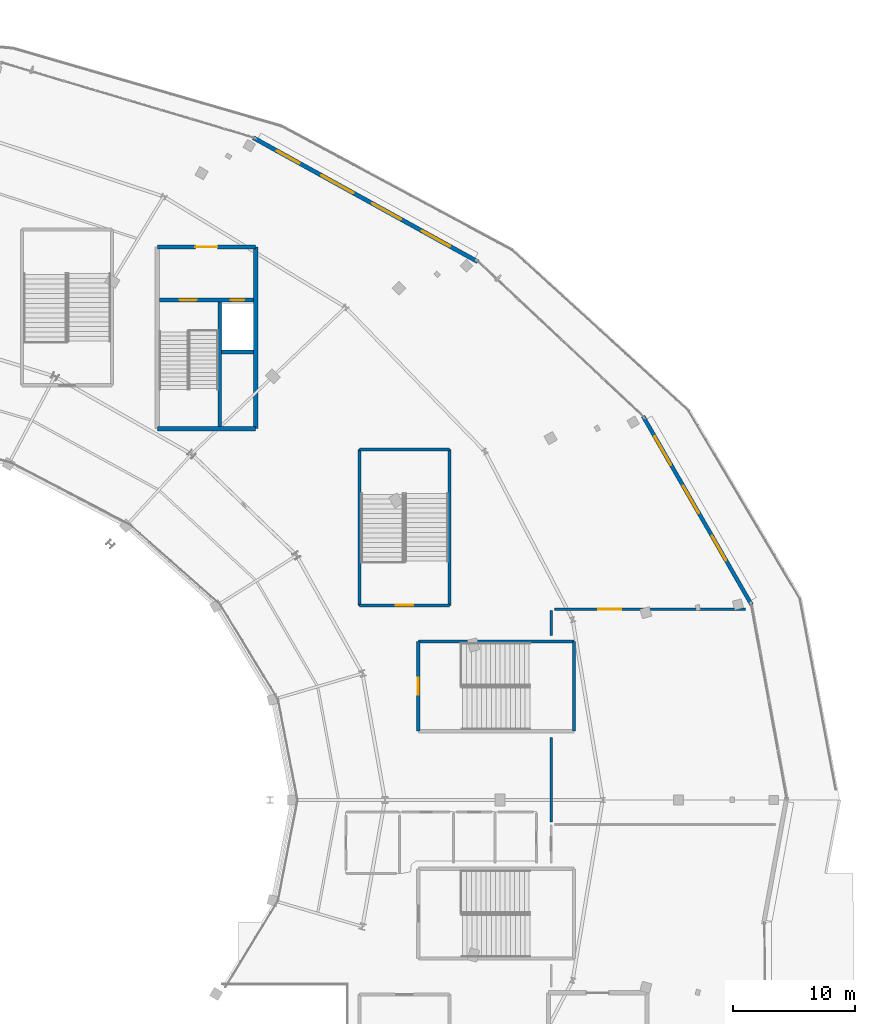
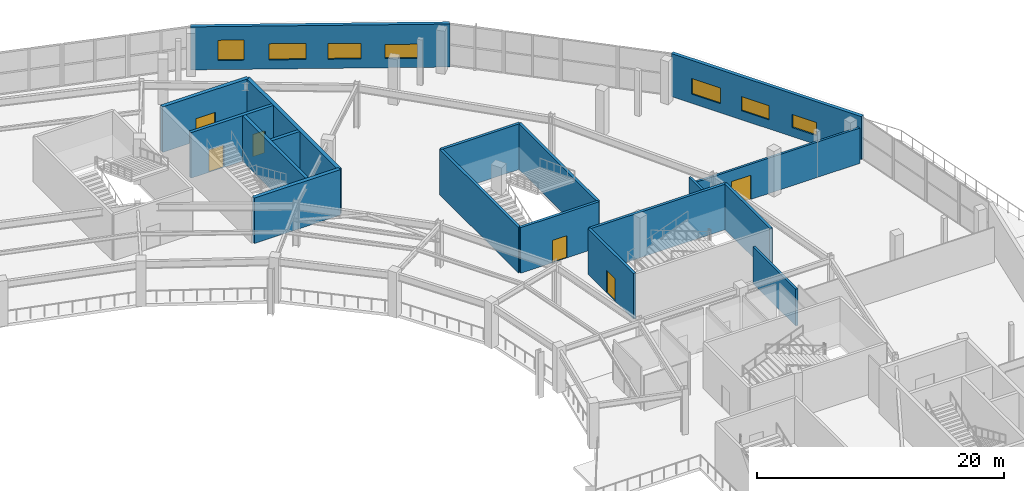
# One storey, part 82 of 107: 18 walls, 7 windows, 6 doors, 13 openings.
"""IFC4 building model written with IfcOpenShell, lengths in metres."""

from ifc_helpers import new_model, si_unit, direction, frame, frame_2d, origin, place, context, subcontext, project, spatial, rectangle, extrude, material, layer, layer_set, type_object, element, fill, save


model = new_model("IFC4")

# Units and contexts
model_context = context("Model", 3, precision=1e-05, world=origin(), true_north=direction((0.0, 1.0)))
body_context = subcontext(model_context, "Body", "Model", "MODEL_VIEW")
ifc_project = project(units=[si_unit("LENGTHUNIT", "METRE"), si_unit("AREAUNIT", "SQUARE_METRE"), si_unit("VOLUMEUNIT", "CUBIC_METRE"), si_unit("PLANEANGLEUNIT", "RADIAN"), si_unit("MASSUNIT", "GRAM", prefix="KILO")], contexts=[model_context])

# Site, building, storey
site_placement = place(None, origin())
site = spatial("IfcSite", under=ifc_project, at=site_placement, CompositionType="ELEMENT")
building_placement = place(site_placement, origin())
building = spatial("IfcBuilding", under=site, at=building_placement, Name="Kalgoora Escarpment Arena", CompositionType="ELEMENT")
storey_placement = place(building_placement, frame((0.0, 0.0, 5.39990234375)))
storey = spatial("IfcBuildingStorey", under=building, at=storey_placement, Name="L01", CompositionType="ELEMENT", Elevation=5.39990234375)

# Wall
ifc_material_1 = material(Name="Concrete N50 (fc' 50 MPa)", Category="concrete")
ifc_layer_1 = layer(ifc_material_1, 0.35009765625)
ifc_layer_set_1 = layer_set([ifc_layer_1], Name="WAL-CORE-350")
wall_type_1 = type_object("IfcWallType", Name="WAL-CORE-350", PredefinedType="SHEAR", material=ifc_layer_set_1)
wall_1_placement = place(storey_placement, frame((127.77490234375, 94.375, 0.0), z_axis=(0.0, 0.0, 1.0), x_axis=(1.0, 0.0, 0.0)))
element("IfcWall", 1, at=wall_1_placement, inside=storey, type_object=wall_type_1, Name="Core C4 L01 south shear wall", PredefinedType="SHEAR", context=body_context, shape_type="SweptSolid", body=[
    extrude(rectangle(XDim=8.050048828125, YDim=0.35009765625, at=frame_2d((4.02490234375, 0.0))), origin(), (0.0, 0.0, 1.0), 4.5),
])

# Wall, opening, door
wall_2_placement = place(storey_placement, frame((127.77490234375, 109.22509765625, 0.0), z_axis=(0.0, 0.0, 1.0), x_axis=(1.0, 0.0, 0.0)))
wall_2 = element("IfcWall", 2, at=wall_2_placement, inside=storey, type_object=wall_type_1, Name="Core C4 L01 north lobby wall", PredefinedType="SHEAR", context=body_context, shape_type="SweptSolid", body=[
    extrude(rectangle(XDim=8.050048828125, YDim=0.35009765625, at=frame_2d((4.02490234375, 0.0))), origin(), (0.0, 0.0, 1.0), 4.5),
])
opening_1_placement = place(wall_2_placement, frame((3.125, 0.0, 0.0)))
opening_1 = element("IfcOpeningElement", 3, at=opening_1_placement, cuts=wall_2, Name="Opening FD-C4L", PredefinedType="OPENING", context=body_context, shape_type="SweptSolid", body=[
    extrude(rectangle(XDim=1.800048828125, YDim=2.25, at=frame_2d((0.89990234375, 1.125))), frame((0.0, 0.18505859375, 0.0), z_axis=(0.0, -1.0, 0.0), x_axis=(1.0, 0.0, 0.0)), (0.0, 0.0, 1.0), 0.3701171875),
])
ifc_material_2 = material(Name="Double fire-rated smoke-seal lobby door")
door_type_1 = type_object("IfcDoorType", Name="DR-LOBBY-1800", OperationType="NOTDEFINED", PredefinedType="DOOR", material=ifc_material_2)
door_1_placement = place(opening_1_placement, origin())
door_1 = element("IfcDoor", 4, at=door_1_placement, inside=storey, type_object=door_type_1, Name="Core C4 L01 smoke-lobby fire door", OperationType="DOUBLE_DOOR_SINGLE_SWING", OverallHeight=2.25, OverallWidth=1.800048828125, PredefinedType="DOOR", context=body_context, shape_type="SweptSolid", body=[
    extrude(rectangle(XDim=1.800048828125, YDim=2.25, at=frame_2d((0.89990234375, 1.125))), frame((0.0, 0.02490234375, 0.0), z_axis=(0.0, -1.0, 0.0), x_axis=(1.0, 0.0, 0.0)), (0.0, 0.0, 1.0), 0.050048828125),
])
fill(opening_1, door_1)

# Wall
wall_3_placement = place(storey_placement, frame((135.824951171875, 94.375, 0.0), z_axis=(0.0, 0.0, 1.0), x_axis=(0.0, 1.0, 0.0)))
element("IfcWall", 5, at=wall_3_placement, inside=storey, type_object=wall_type_1, Name="Core C4 L01 east shear wall", PredefinedType="SHEAR", context=body_context, shape_type="SweptSolid", body=[
    extrude(rectangle(XDim=14.85009765625, YDim=0.35009765625, at=frame_2d((7.425048828125, 0.0))), origin(), (0.0, 0.0, 1.0), 4.5),
])

# Wall, openings, windows
ifc_material_3 = material(Name="Insulated limestone cladding precast wall 40 MPa", Category="masonry")
ifc_layer_2 = layer(ifc_material_3, 0.31494140625)
ifc_layer_set_2 = layer_set([ifc_layer_2], Name="WAL-EXT-315")
wall_type_2 = type_object("IfcWallType", Name="WAL-EXT-315", PredefinedType="SOLIDWALL", material=ifc_layer_set_2)
wall_4_placement = place(storey_placement, frame((167.5166015625, 95.3798828125, 0.0), z_axis=(0.0, 0.0, 1.0), x_axis=(0.4988947801, -0.866662563163, 0.0)))
wall_4 = element("IfcWall", 6, at=wall_4_placement, inside=storey, type_object=wall_type_2, Name="L01 limestone-faced external wall 038", PredefinedType="SOLIDWALL", context=body_context, shape_type="SweptSolid", body=[
    extrude(rectangle(XDim=17.786376953125, YDim=0.31494140625, at=frame_2d((8.89306640625, 0.0))), origin(), (0.0, 0.0, 1.0), 4.25),
])
opening_2_placement = place(wall_4_placement, frame((1.89990234375, 0.0, 0.89990234375)))
opening_2 = element("IfcOpeningElement", 7, at=opening_2_placement, cuts=wall_4, Name="Opening W-12", PredefinedType="OPENING", context=body_context, shape_type="SweptSolid", body=[
    extrude(rectangle(XDim=2.699951171875, YDim=1.550048828125, at=frame_2d((1.35009765625, 0.77490234375))), frame((0.0, 0.16748046875, 0.0), z_axis=(0.0, -1.0, 0.0), x_axis=(1.0, 0.0, 0.0)), (0.0, 0.0, 1.0), 0.3349609375),
])
opening_3_placement = place(wall_4_placement, frame((6.550048828125, 0.0, 0.89990234375)))
opening_3 = element("IfcOpeningElement", 8, at=opening_3_placement, cuts=wall_4, Name="Opening W-14", PredefinedType="OPENING", context=body_context, shape_type="SweptSolid", body=[
    extrude(rectangle(XDim=2.60009765625, YDim=1.39990234375, at=frame_2d((1.300048828125, 0.699951171875))), frame((0.0, 0.16748046875, 0.0), z_axis=(0.0, -1.0, 0.0), x_axis=(1.0, 0.0, 0.0)), (0.0, 0.0, 1.0), 0.3349609375),
])
opening_4_placement = place(wall_4_placement, frame((11.300048828125, 0.0, 0.89990234375)))
opening_4 = element("IfcOpeningElement", 9, at=opening_4_placement, cuts=wall_4, Name="Opening W-16", PredefinedType="OPENING", context=body_context, shape_type="SweptSolid", body=[
    extrude(rectangle(XDim=2.300048828125, YDim=1.300048828125, at=frame_2d((1.14990234375, 0.64990234375))), frame((0.0, 0.16748046875, 0.0), z_axis=(0.0, -1.0, 0.0), x_axis=(1.0, 0.0, 0.0)), (0.0, 0.0, 1.0), 0.3349609375),
])
ifc_material_4 = material(Name="Low-E solar-control double glazing in champagne frame", Category="glass")
window_type_1 = type_object("IfcWindowType", Name="WIN-BAND-2700x1550", PartitioningType="SINGLE_PANEL", PredefinedType="WINDOW", material=ifc_material_4)
window_1_placement = place(opening_2_placement, origin())
window_1 = element("IfcWindow", 10, at=window_1_placement, inside=storey, type_object=window_type_1, Name="L01 scheduled facade window 032", OverallHeight=1.550048828125, OverallWidth=2.699951171875, PartitioningType="SINGLE_PANEL", PredefinedType="WINDOW", context=body_context, shape_type="SweptSolid", body=[
    extrude(rectangle(XDim=2.699951171875, YDim=1.550048828125, at=frame_2d((1.35009765625, 0.77490234375))), frame((0.0, 0.030029296875, 0.0), z_axis=(0.0, -1.0, 0.0), x_axis=(1.0, 0.0, 0.0)), (0.0, 0.0, 1.0), 0.06005859375),
])
fill(opening_2, window_1)
ifc_material_5 = material(Name="Low-E solar-control double glazing in champagne frame", Category="glass")
window_type_2 = type_object("IfcWindowType", Name="WIN-CLER-2300x1300", PartitioningType="SINGLE_PANEL", PredefinedType="WINDOW", material=ifc_material_5)
window_2_placement = place(opening_4_placement, origin())
window_2 = element("IfcWindow", 11, at=window_2_placement, inside=storey, type_object=window_type_2, Name="L01 scheduled facade window 034", OverallHeight=1.300048828125, OverallWidth=2.300048828125, PartitioningType="SINGLE_PANEL", PredefinedType="WINDOW", context=body_context, shape_type="SweptSolid", body=[
    extrude(rectangle(XDim=2.300048828125, YDim=1.300048828125, at=frame_2d((1.14990234375, 0.64990234375))), frame((0.0, 0.030029296875, 0.0), z_axis=(0.0, -1.0, 0.0), x_axis=(1.0, 0.0, 0.0)), (0.0, 0.0, 1.0), 0.06005859375),
])
fill(opening_4, window_2)
ifc_material_6 = material(Name="Low-E solar-control double glazing in champagne frame", Category="glass")
window_type_3 = type_object("IfcWindowType", Name="WIN-CLER-2600x1400", PartitioningType="SINGLE_PANEL", PredefinedType="WINDOW", material=ifc_material_6)
window_3_placement = place(opening_3_placement, origin())
window_3 = element("IfcWindow", 12, at=window_3_placement, inside=storey, type_object=window_type_3, Name="L01 scheduled facade window 033", OverallHeight=1.39990234375, OverallWidth=2.60009765625, PartitioningType="SINGLE_PANEL", PredefinedType="WINDOW", context=body_context, shape_type="SweptSolid", body=[
    extrude(rectangle(XDim=2.60009765625, YDim=1.39990234375, at=frame_2d((1.300048828125, 0.699951171875))), frame((0.0, 0.030029296875, 0.0), z_axis=(0.0, -1.0, 0.0), x_axis=(1.0, 0.0, 0.0)), (0.0, 0.0, 1.0), 0.06005859375),
])
fill(opening_3, window_3)

ifc_material_7 = material(Name="Fluted Art Deco precast concrete 40 MPa", Category="concrete")
ifc_layer_3 = layer(ifc_material_7, 0.340087890625)
ifc_layer_set_3 = layer_set([ifc_layer_3], Name="WAL-EXT-340")
wall_type_3 = type_object("IfcWallType", Name="WAL-EXT-340", PredefinedType="SOLIDWALL", material=ifc_layer_set_3)
wall_5_placement = place(storey_placement, frame((135.645263671875, 118.15966796875, 0.0), z_axis=(0.0, 0.0, 1.0), x_axis=(0.875430127379, -0.483344692821, 0.0)))
wall_5 = element("IfcWall", 13, at=wall_5_placement, inside=storey, type_object=wall_type_3, Name="L01 limestone-faced external wall 037", PredefinedType="SOLIDWALL", context=body_context, shape_type="SweptSolid", body=[
    extrude(rectangle(XDim=20.9765625, YDim=0.340087890625, at=frame_2d((10.48828125, 0.0))), origin(), (0.0, 0.0, 1.0), 4.25),
])
opening_5_placement = place(wall_5_placement, frame((2.199951171875, 0.0, 0.89990234375)))
opening_5 = element("IfcOpeningElement", 14, at=opening_5_placement, cuts=wall_5, Name="Opening W-08", PredefinedType="OPENING", context=body_context, shape_type="SweptSolid", body=[
    extrude(rectangle(XDim=2.10009765625, YDim=2.0, at=frame_2d((1.050048828125, 1.0))), frame((0.0, 0.179931640625, 0.0), z_axis=(0.0, -1.0, 0.0), x_axis=(1.0, 0.0, 0.0)), (0.0, 0.0, 1.0), 0.360107421875),
])
opening_6_placement = place(wall_5_placement, frame((6.35009765625, 0.0, 0.89990234375)))
opening_6 = element("IfcOpeningElement", 15, at=opening_6_placement, cuts=wall_5, Name="Opening W-10", PredefinedType="OPENING", context=body_context, shape_type="SweptSolid", body=[
    extrude(rectangle(XDim=3.0, YDim=1.60009765625, at=frame_2d((1.5, 0.800048828125))), frame((0.0, 0.179931640625, 0.0), z_axis=(0.0, -1.0, 0.0), x_axis=(1.0, 0.0, 0.0)), (0.0, 0.0, 1.0), 0.360107421875),
])
opening_7_placement = place(wall_5_placement, frame((11.10009765625, 0.0, 0.89990234375)))
opening_7 = element("IfcOpeningElement", 16, at=opening_7_placement, cuts=wall_5, Name="Opening W-12", PredefinedType="OPENING", context=body_context, shape_type="SweptSolid", body=[
    extrude(rectangle(XDim=2.699951171875, YDim=1.550048828125, at=frame_2d((1.35009765625, 0.77490234375))), frame((0.0, 0.179931640625, 0.0), z_axis=(0.0, -1.0, 0.0), x_axis=(1.0, 0.0, 0.0)), (0.0, 0.0, 1.0), 0.360107421875),
])
opening_8_placement = place(wall_5_placement, frame((15.75, 0.0, 0.89990234375)))
opening_8 = element("IfcOpeningElement", 17, at=opening_8_placement, cuts=wall_5, Name="Opening W-14", PredefinedType="OPENING", context=body_context, shape_type="SweptSolid", body=[
    extrude(rectangle(XDim=2.60009765625, YDim=1.39990234375, at=frame_2d((1.300048828125, 0.699951171875))), frame((0.0, 0.179931640625, 0.0), z_axis=(0.0, -1.0, 0.0), x_axis=(1.0, 0.0, 0.0)), (0.0, 0.0, 1.0), 0.360107421875),
])
window_4_placement = place(opening_7_placement, origin())
window_4 = element("IfcWindow", 18, at=window_4_placement, inside=storey, type_object=window_type_1, Name="L01 scheduled facade window 030", OverallHeight=1.550048828125, OverallWidth=2.699951171875, PartitioningType="SINGLE_PANEL", PredefinedType="WINDOW", context=body_context, shape_type="SweptSolid", body=[
    extrude(rectangle(XDim=2.699951171875, YDim=1.550048828125, at=frame_2d((1.35009765625, 0.77490234375))), frame((0.0, 0.030029296875, 0.0), z_axis=(0.0, -1.0, 0.0), x_axis=(1.0, 0.0, 0.0)), (0.0, 0.0, 1.0), 0.06005859375),
])
fill(opening_7, window_4)
ifc_material_8 = material(Name="Low-E solar-control double glazing in champagne frame", Category="glass")
window_type_4 = type_object("IfcWindowType", Name="WIN-BAND-3000x1600", PartitioningType="SINGLE_PANEL", PredefinedType="WINDOW", material=ifc_material_8)
window_5_placement = place(opening_6_placement, origin())
window_5 = element("IfcWindow", 19, at=window_5_placement, inside=storey, type_object=window_type_4, Name="L01 scheduled facade window 029", OverallHeight=1.60009765625, OverallWidth=3.0, PartitioningType="SINGLE_PANEL", PredefinedType="WINDOW", context=body_context, shape_type="SweptSolid", body=[
    extrude(rectangle(XDim=3.0, YDim=1.60009765625, at=frame_2d((1.5, 0.800048828125))), frame((0.0, 0.030029296875, 0.0), z_axis=(0.0, -1.0, 0.0), x_axis=(1.0, 0.0, 0.0)), (0.0, 0.0, 1.0), 0.06005859375),
])
fill(opening_6, window_5)
window_6_placement = place(opening_8_placement, origin())
window_6 = element("IfcWindow", 20, at=window_6_placement, inside=storey, type_object=window_type_3, Name="L01 scheduled facade window 031", OverallHeight=1.39990234375, OverallWidth=2.60009765625, PartitioningType="SINGLE_PANEL", PredefinedType="WINDOW", context=body_context, shape_type="SweptSolid", body=[
    extrude(rectangle(XDim=2.60009765625, YDim=1.39990234375, at=frame_2d((1.300048828125, 0.699951171875))), frame((0.0, 0.030029296875, 0.0), z_axis=(0.0, -1.0, 0.0), x_axis=(1.0, 0.0, 0.0)), (0.0, 0.0, 1.0), 0.06005859375),
])
fill(opening_8, window_6)
ifc_material_9 = material(Name="Low-E solar-control double glazing in champagne frame", Category="glass")
window_type_5 = type_object("IfcWindowType", Name="WIN-DECO-2100x2000", PartitioningType="SINGLE_PANEL", PredefinedType="WINDOW", material=ifc_material_9)
window_7_placement = place(opening_5_placement, origin())
window_7 = element("IfcWindow", 21, at=window_7_placement, inside=storey, type_object=window_type_5, Name="L01 scheduled facade window 028", OverallHeight=2.0, OverallWidth=2.10009765625, PartitioningType="SINGLE_PANEL", PredefinedType="WINDOW", context=body_context, shape_type="SweptSolid", body=[
    extrude(rectangle(XDim=2.10009765625, YDim=2.0, at=frame_2d((1.050048828125, 1.0))), frame((0.0, 0.030029296875, 0.0), z_axis=(0.0, -1.0, 0.0), x_axis=(1.0, 0.0, 0.0)), (0.0, 0.0, 1.0), 0.06005859375),
])
fill(opening_5, window_7)

# Wall
ifc_material_10 = material(Name="Acoustic masonry plant wall Concrete N40 (fc' 40 MPa)", Category="masonry")
ifc_layer_4 = layer(ifc_material_10, 0.205078125)
ifc_layer_set_4 = layer_set([ifc_layer_4], Name="WAL-PLANT-205")
wall_type_4 = type_object("IfcWallType", Name="WAL-PLANT-205", PredefinedType="SOLIDWALL", material=ifc_layer_set_4)
wall_6_placement = place(storey_placement, frame((160.0, 77.47509765625, 0.0), z_axis=(0.0, 0.0, 1.0), x_axis=(0.0, 1.0, 0.0)))
element("IfcWall", 22, at=wall_6_placement, inside=storey, type_object=wall_type_4, Name="L01 East Smoke Exhaust Plant partition wall", PredefinedType="SOLIDWALL", context=body_context, shape_type="SweptSolid", body=[
    extrude(rectangle(XDim=2.044921875, YDim=0.205078125, at=frame_2d((1.0224609375, 0.0))), origin(), (0.0, 0.0, 1.0), 4.22021484375),
])

# Wall, opening, door
wall_7_placement = place(storey_placement, frame((160.284912109375, 79.60009765625, 0.0), z_axis=(0.0, 0.0, 1.0), x_axis=(1.0, 0.0, 0.0)))
wall_7 = element("IfcWall", 23, at=wall_7_placement, inside=storey, type_object=wall_type_4, Name="L01 East Smoke Exhaust Plant partition wall", PredefinedType="SOLIDWALL", context=body_context, shape_type="SweptSolid", body=[
    extrude(rectangle(XDim=15.601318359375, YDim=0.205078125, at=frame_2d((7.80078125, 0.0))), origin(), (0.0, 0.0, 1.0), 3.4951171875),
])
opening_9_placement = place(wall_7_placement, frame((3.575439453125, 0.0, 0.0)))
opening_9 = element("IfcOpeningElement", 24, at=opening_9_placement, cuts=wall_7, Name="Opening FD-I069", PredefinedType="OPENING", context=body_context, shape_type="SweptSolid", body=[
    extrude(rectangle(XDim=1.85009765625, YDim=2.39990234375, at=frame_2d((0.925048828125, 1.199951171875))), frame((0.0, 0.112548828125, 0.0), z_axis=(0.0, -1.0, 0.0), x_axis=(1.0, 0.0, 0.0)), (0.0, 0.0, 1.0), 0.22509765625),
])
ifc_material_11 = material(Name="Acoustic louvred steel double plant door", Category="steel")
door_type_2 = type_object("IfcDoorType", Name="DR-PLANT-1850", OperationType="NOTDEFINED", PredefinedType="DOOR", material=ifc_material_11)
door_2_placement = place(opening_9_placement, origin())
door_2 = element("IfcDoor", 25, at=door_2_placement, inside=storey, type_object=door_type_2, Name="East Smoke Exhaust Plant entrance door", OperationType="DOUBLE_DOOR_SINGLE_SWING", OverallHeight=2.39990234375, OverallWidth=1.85009765625, PredefinedType="DOOR", context=body_context, shape_type="SweptSolid", body=[
    extrude(rectangle(XDim=1.85009765625, YDim=2.39990234375, at=frame_2d((0.925048828125, 1.199951171875))), frame((0.0, 0.02490234375, 0.0), z_axis=(0.0, -1.0, 0.0), x_axis=(1.0, 0.0, 0.0)), (0.0, 0.0, 1.0), 0.050048828125),
])
fill(opening_9, door_2)

# Wall
wall_8_placement = place(storey_placement, frame((160.0, 62.219970703125, 0.0), z_axis=(0.0, 0.0, 1.0), x_axis=(0.0, 1.0, 0.0)))
element("IfcWall", 26, at=wall_8_placement, inside=storey, type_object=wall_type_4, Name="L01 East Smoke Exhaust Plant partition wall", PredefinedType="SOLIDWALL", context=body_context, shape_type="SweptSolid", body=[
    extrude(rectangle(XDim=6.905029296875, YDim=0.205078125, at=frame_2d((3.45263671875, 0.0))), origin(), (0.0, 0.0, 1.0), 3.64208984375),
])

# Wall, openings, doors
ifc_material_12 = material(Name="Concrete N50 (fc' 50 MPa)", Category="concrete")
ifc_layer_5 = layer(ifc_material_12, 0.300048828125)
ifc_layer_set_5 = layer_set([ifc_layer_5], Name="WAL-SHAFT-300")
wall_type_5 = type_object("IfcWallType", Name="WAL-SHAFT-300", PredefinedType="SHEAR", material=ifc_layer_set_5)
wall_9_placement = place(storey_placement, frame((127.949951171875, 104.89990234375, 0.0), z_axis=(0.0, 0.0, 1.0), x_axis=(1.0, 0.0, 0.0)))
wall_9 = element("IfcWall", 27, at=wall_9_placement, inside=storey, type_object=wall_type_5, Name="Core C4 L01 lobby shaft wall", PredefinedType="SHEAR", context=body_context, shape_type="SweptSolid", body=[
    extrude(rectangle(XDim=7.699951171875, YDim=0.300048828125, at=frame_2d((3.85009765625, 0.0))), origin(), (0.0, 0.0, 1.0), 4.5),
])
opening_10_placement = place(wall_9_placement, frame((1.64990234375, 0.0, 0.0)))
opening_10 = element("IfcOpeningElement", 28, at=opening_10_placement, cuts=wall_9, Name="Opening FD-ST04", PredefinedType="OPENING", context=body_context, shape_type="SweptSolid", body=[
    extrude(rectangle(XDim=1.39990234375, YDim=2.199951171875, at=frame_2d((0.699951171875, 1.10009765625))), frame((0.0, 0.159912109375, 0.0), z_axis=(0.0, -1.0, 0.0), x_axis=(1.0, 0.0, 0.0)), (0.0, 0.0, 1.0), 0.320068359375),
])
opening_11_placement = place(wall_9_placement, frame((5.85009765625, 0.0, 0.0)))
opening_11 = element("IfcOpeningElement", 29, at=opening_11_placement, cuts=wall_9, Name="Opening LD-PL2", PredefinedType="OPENING", context=body_context, shape_type="SweptSolid", body=[
    extrude(rectangle(XDim=1.10009765625, YDim=2.199951171875, at=frame_2d((0.550048828125, 1.10009765625))), frame((0.0, 0.159912109375, 0.0), z_axis=(0.0, -1.0, 0.0), x_axis=(1.0, 0.0, 0.0)), (0.0, 0.0, 1.0), 0.320068359375),
])
ifc_material_13 = material(Name="Brushed stainless steel sliding lift landing door", Category="steel")
door_type_3 = type_object("IfcDoorType", Name="DR-LD-PL2", OperationType="SLIDING_TO_LEFT", PredefinedType="DOOR", material=ifc_material_13)
door_3_placement = place(opening_11_placement, origin())
door_3 = element("IfcDoor", 30, at=door_3_placement, inside=storey, type_object=door_type_3, Name="Lift PL2 L01 sliding landing door", OperationType="SLIDING_TO_LEFT", OverallHeight=2.199951171875, OverallWidth=1.10009765625, PredefinedType="DOOR", context=body_context, shape_type="SweptSolid", body=[
    extrude(rectangle(XDim=1.10009765625, YDim=2.199951171875, at=frame_2d((0.550048828125, 1.10009765625))), frame((0.0, 0.02490234375, 0.0), z_axis=(0.0, -1.0, 0.0), x_axis=(1.0, 0.0, 0.0)), (0.0, 0.0, 1.0), 0.050048828125),
])
fill(opening_11, door_3)
ifc_material_14 = material(Name="Fire-rated steel stair leaf with vision panel", Category="steel")
door_type_4 = type_object("IfcDoorType", Name="DR-STAIR-1400", OperationType="NOTDEFINED", PredefinedType="DOOR", material=ifc_material_14)
door_4_placement = place(opening_10_placement, origin())
door_4 = element("IfcDoor", 31, at=door_4_placement, inside=storey, type_object=door_type_4, Name="Fire stair ST04 L01 fire door", OperationType="SINGLE_SWING_RIGHT", OverallHeight=2.199951171875, OverallWidth=1.39990234375, PredefinedType="DOOR", context=body_context, shape_type="SweptSolid", body=[
    extrude(rectangle(XDim=1.39990234375, YDim=2.199951171875, at=frame_2d((0.699951171875, 1.10009765625))), frame((0.0, 0.02490234375, 0.0), z_axis=(0.0, -1.0, 0.0), x_axis=(1.0, 0.0, 0.0)), (0.0, 0.0, 1.0), 0.050048828125),
])
fill(opening_10, door_4)

# Walls
wall_10_placement = place(storey_placement, frame((132.89990234375, 94.550048828125, 0.0), z_axis=(0.0, 0.0, 1.0), x_axis=(0.0, 1.0, 0.0)))
element("IfcWall", 32, at=wall_10_placement, inside=storey, type_object=wall_type_5, Name="Core C4 L01 stair-lift spine wall", PredefinedType="SHEAR", context=body_context, shape_type="SweptSolid", body=[
    extrude(rectangle(XDim=10.349853515625, YDim=0.300048828125, at=frame_2d((5.1748046875, 0.0))), origin(), (0.0, 0.0, 1.0), 4.5),
])
wall_11_placement = place(storey_placement, frame((133.050048828125, 100.64990234375, 0.0), z_axis=(0.0, 0.0, 1.0), x_axis=(1.0, 0.0, 0.0)))
element("IfcWall", 33, at=wall_11_placement, inside=storey, type_object=wall_type_5, Name="Core C4 L01 lift-riser divider wall", PredefinedType="SHEAR", context=body_context, shape_type="SweptSolid", body=[
    extrude(rectangle(XDim=2.599853515625, YDim=0.300048828125, at=frame_2d((1.2998046875, 0.0))), origin(), (0.0, 0.0, 1.0), 4.5),
])
ifc_material_15 = material(Name="Concrete N50 (fc' 50 MPa)", Category="concrete")
ifc_layer_6 = layer(ifc_material_15, 0.25)
ifc_layer_set_6 = layer_set([ifc_layer_6], Name="WAL-STAIR-250")
wall_type_6 = type_object("IfcWallType", Name="WAL-STAIR-250", PredefinedType="SHEAR", material=ifc_layer_set_6)
wall_12_placement = place(storey_placement, frame((149.125, 76.97509765625, 0.0), z_axis=(0.0, 0.0, 1.0), x_axis=(1.0, 0.0, 0.0)))
element("IfcWall", 34, at=wall_12_placement, inside=storey, type_object=wall_type_6, Name="Exit stair ST21 L01 north wall", PredefinedType="SHEAR", context=body_context, shape_type="SweptSolid", body=[
    extrude(rectangle(XDim=12.75, YDim=0.25, at=frame_2d((6.375, 0.0))), origin(), (0.0, 0.0, 1.0), 4.5),
])

# Wall, opening, door
wall_13_placement = place(storey_placement, frame((149.125, 69.625, 0.0), z_axis=(0.0, 0.0, 1.0), x_axis=(0.0, 1.0, 0.0)))
wall_13 = element("IfcWall", 35, at=wall_13_placement, inside=storey, type_object=wall_type_6, Name="Exit stair ST21 L01 west wall", PredefinedType="SHEAR", context=body_context, shape_type="SweptSolid", body=[
    extrude(rectangle(XDim=7.35009765625, YDim=0.25, at=frame_2d((3.675048828125, 0.0))), origin(), (0.0, 0.0, 1.0), 4.5),
])
opening_12_placement = place(wall_13_placement, frame((2.97509765625, 0.0, 0.0)))
opening_12 = element("IfcOpeningElement", 36, at=opening_12_placement, cuts=wall_13, Name="Opening FD-ST21", PredefinedType="OPENING", context=body_context, shape_type="SweptSolid", body=[
    extrude(rectangle(XDim=1.39990234375, YDim=2.199951171875, at=frame_2d((0.699951171875, 1.10009765625))), frame((0.0, 0.135009765625, 0.0), z_axis=(0.0, -1.0, 0.0), x_axis=(1.0, 0.0, 0.0)), (0.0, 0.0, 1.0), 0.27001953125),
])
door_5_placement = place(opening_12_placement, origin())
door_5 = element("IfcDoor", 37, at=door_5_placement, inside=storey, type_object=door_type_4, Name="Fire-isolated stair ST21 L01 egress door", OperationType="SINGLE_SWING_RIGHT", OverallHeight=2.199951171875, OverallWidth=1.39990234375, PredefinedType="DOOR", context=body_context, shape_type="SweptSolid", body=[
    extrude(rectangle(XDim=1.39990234375, YDim=2.199951171875, at=frame_2d((0.699951171875, 1.10009765625))), frame((0.0, 0.02490234375, 0.0), z_axis=(0.0, -1.0, 0.0), x_axis=(1.0, 0.0, 0.0)), (0.0, 0.0, 1.0), 0.050048828125),
])
fill(opening_12, door_5)

# Wall
wall_14_placement = place(storey_placement, frame((161.875, 69.625, 0.0), z_axis=(0.0, 0.0, 1.0), x_axis=(0.0, 1.0, 0.0)))
element("IfcWall", 38, at=wall_14_placement, inside=storey, type_object=wall_type_6, Name="Exit stair ST21 L01 east wall", PredefinedType="SHEAR", context=body_context, shape_type="SweptSolid", body=[
    extrude(rectangle(XDim=7.35009765625, YDim=0.25, at=frame_2d((3.675048828125, 0.0))), origin(), (0.0, 0.0, 1.0), 4.5),
])

# Wall, opening, door
wall_15_placement = place(storey_placement, frame((144.324951171875, 79.925048828125, 0.0), z_axis=(0.0, 0.0, 1.0), x_axis=(1.0, 0.0, 0.0)))
wall_15 = element("IfcWall", 39, at=wall_15_placement, inside=storey, type_object=wall_type_6, Name="Exit stair ST23 L01 south wall", PredefinedType="SHEAR", context=body_context, shape_type="SweptSolid", body=[
    extrude(rectangle(XDim=7.35009765625, YDim=0.25, at=frame_2d((3.675048828125, 0.0))), origin(), (0.0, 0.0, 1.0), 4.5),
])
opening_13_placement = place(wall_15_placement, frame((2.97509765625, 0.0, 0.0)))
opening_13 = element("IfcOpeningElement", 40, at=opening_13_placement, cuts=wall_15, Name="Opening FD-ST23", PredefinedType="OPENING", context=body_context, shape_type="SweptSolid", body=[
    extrude(rectangle(XDim=1.39990234375, YDim=2.199951171875, at=frame_2d((0.699951171875, 1.10009765625))), frame((0.0, 0.135009765625, 0.0), z_axis=(0.0, -1.0, 0.0), x_axis=(1.0, 0.0, 0.0)), (0.0, 0.0, 1.0), 0.27001953125),
])
door_6_placement = place(opening_13_placement, origin())
door_6 = element("IfcDoor", 41, at=door_6_placement, inside=storey, type_object=door_type_4, Name="Fire-isolated stair ST23 L01 egress door", OperationType="SINGLE_SWING_LEFT", OverallHeight=2.199951171875, OverallWidth=1.39990234375, PredefinedType="DOOR", context=body_context, shape_type="SweptSolid", body=[
    extrude(rectangle(XDim=1.39990234375, YDim=2.199951171875, at=frame_2d((0.699951171875, 1.10009765625))), frame((0.0, 0.02490234375, 0.0), z_axis=(0.0, -1.0, 0.0), x_axis=(1.0, 0.0, 0.0)), (0.0, 0.0, 1.0), 0.050048828125),
])
fill(opening_13, door_6)

# Walls
wall_16_placement = place(storey_placement, frame((144.324951171875, 92.675048828125, 0.0), z_axis=(0.0, 0.0, 1.0), x_axis=(1.0, 0.0, 0.0)))
element("IfcWall", 42, at=wall_16_placement, inside=storey, type_object=wall_type_6, Name="Exit stair ST23 L01 north wall", PredefinedType="SHEAR", context=body_context, shape_type="SweptSolid", body=[
    extrude(rectangle(XDim=7.35009765625, YDim=0.25, at=frame_2d((3.675048828125, 0.0))), origin(), (0.0, 0.0, 1.0), 4.5),
])
for number, where, z_axis, x_axis, name in (
    (43, (144.324951171875, 79.925048828125, 0.0), (0.0, 0.0, 1.0), (0.0, 1.0, 0.0), "Exit stair ST23 L01 west wall"),
    (44, (151.675048828125, 79.925048828125, 0.0), (0.0, 0.0, 1.0), (0.0, 1.0, 0.0), "Exit stair ST23 L01 east wall"),
):
    element("IfcWall", number, at=place(storey_placement, frame(where, z_axis=z_axis, x_axis=x_axis)), inside=storey, type_object=wall_type_6, Name=name, PredefinedType="SHEAR", context=body_context, shape_type="SweptSolid", body=[
        extrude(rectangle(XDim=12.75, YDim=0.25, at=frame_2d((6.375, 0.0))), origin(), (0.0, 0.0, 1.0), 4.5),
    ])

save(model, "model.ifc")
